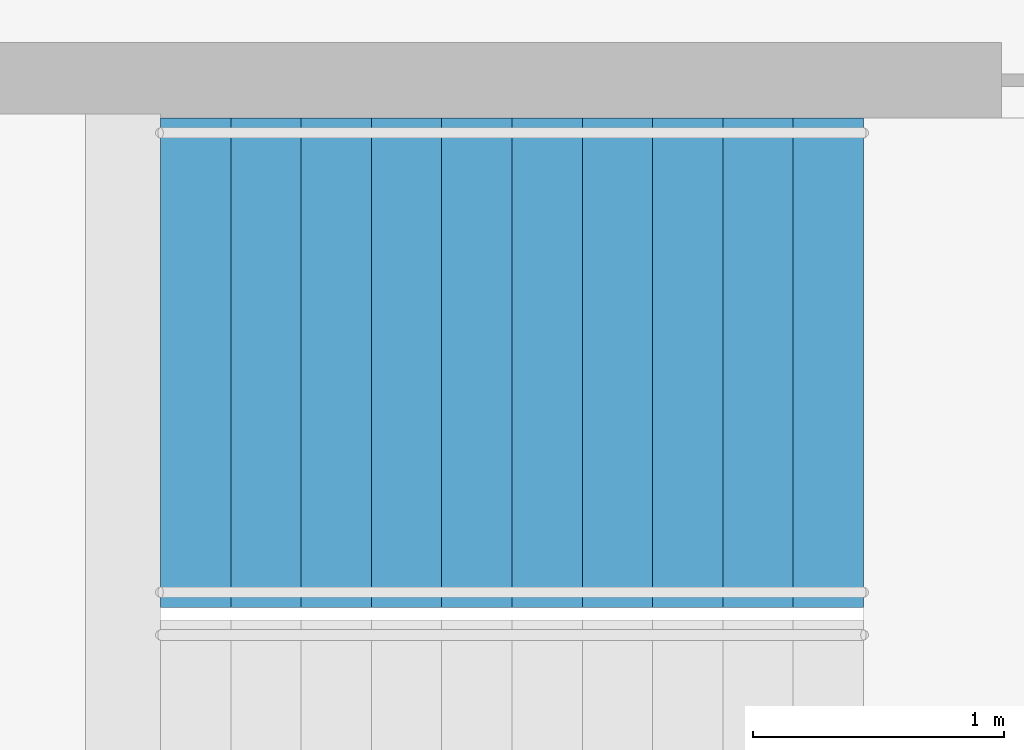
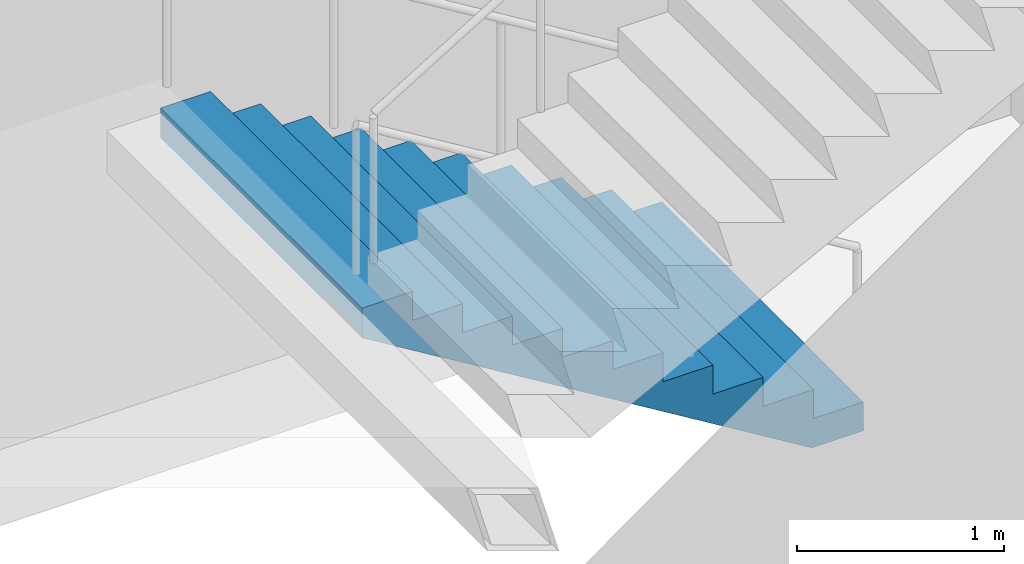
# One storey, part 25 of 28: 1 stair flight, 1 element without a shape of its own.
"""IFC4 building model written with IfcOpenShell, lengths in metres."""

from ifc_helpers import new_model, si_unit, direction, frame, origin, place, context, subcontext, project, spatial, triangles, material, type_object, element, aggregate, save


model = new_model("IFC4")

# Units and contexts
model_context = context("Model", 3, precision=1e-05, world=origin(), true_north=direction((0.0, 1.0)))
body_context = subcontext(model_context, "Body", "Model", "MODEL_VIEW")
ifc_project = project(units=[si_unit("LENGTHUNIT", "METRE"), si_unit("AREAUNIT", "SQUARE_METRE"), si_unit("VOLUMEUNIT", "CUBIC_METRE"), si_unit("PLANEANGLEUNIT", "RADIAN"), si_unit("MASSUNIT", "GRAM", prefix="KILO")], contexts=[model_context])

# Site, building, storey
site_placement = place(None, origin())
site = spatial("IfcSite", under=ifc_project, at=site_placement, CompositionType="ELEMENT")
building_placement = place(site_placement, origin())
building = spatial("IfcBuilding", under=site, at=building_placement, Name="Orbita Commons", CompositionType="ELEMENT")
storey_placement = place(building_placement, frame((0.0, 0.0, 23.949951171875)))
storey = spatial("IfcBuildingStorey", under=building, at=storey_placement, Name="L05", CompositionType="ELEMENT", Elevation=23.949951171875)

# Stair, stair flight
ifc_material_1 = material(Name="Precast concrete C40/50", Category="concrete")
stair_type = type_object("IfcStairType", Name="Exit stair S2 2 flights 11 risers 170", PredefinedType="HALF_TURN_STAIR", material=ifc_material_1)
stair_placement = place(storey_placement, origin())
stair = element("IfcStair", 1, at=stair_placement, inside=storey, type_object=stair_type, Name="Exit stair S2 L05", PredefinedType="HALF_TURN_STAIR")
ifc_material_2 = material(Name="Precast concrete C40/50", Category="concrete")
stair_flight_type = type_object("IfcStairFlightType", Name="Stair flight 11 risers 170 x 280", PredefinedType="STRAIGHT", material=ifc_material_2)
stair_flight_placement = place(storey_placement, frame((63.550048828125, 29.27490234375, 0.0), z_axis=(0.0, 0.0, 1.0), x_axis=(-1.0, 0.0, 0.0)))
stair_flight = element("IfcStairFlight", 2, at=stair_flight_placement, type_object=stair_flight_type, Name="S2 flight 1", NumberOfRisers=11, NumberOfTreads=10, PredefinedType="STRAIGHT", RiserHeight=0.170454545, TreadLength=0.28, context=body_context, shape_type="Tessellation", body=[
    triangles([(0.0, 0.974976, 0.0), (0.0, 0.974976, 0.021307), (0.0, 0.81248, 0.021307), (0.0, 0.81248, 0.0), (0.0, 0.649984, 0.021307), (0.0, 0.649984, 0.0), (0.0, 0.487488, 0.021307), (0.0, 0.487488, 0.0), (0.0, 0.324992, 0.021307), (0.0, 0.324992, 0.0), (0.0, 0.162496, 0.021307), (0.0, 0.162496, 0.0), (0.0, 0.0, 0.021307), (0.0, 0.0, 0.0), (0.0, -0.162496, 0.021307), (0.0, -0.162496, 0.0), (0.0, -0.324992, 0.021307), (0.0, -0.324992, 0.0), (0.0, -0.487488, 0.021307), (0.0, -0.487488, 0.0), (0.0, -0.649984, 0.021307), (0.0, -0.649984, 0.0), (0.0, -0.81248, 0.021307), (0.0, -0.81248, 0.0), (0.0, -0.974976, 0.021307), (0.0, -0.974976, 0.0), (0.0, 0.974976, 0.042614), (0.0, 0.81248, 0.042614), (0.0, 0.649984, 0.042614), (0.0, 0.487488, 0.042614), (0.0, 0.324992, 0.042614), (0.0, 0.162496, 0.042614), (0.0, 0.0, 0.042614), (0.0, -0.162496, 0.042614), (0.0, -0.324992, 0.042614), (0.0, -0.487488, 0.042614), (0.0, -0.649984, 0.042614), (0.0, -0.81248, 0.042614), (0.0, -0.974976, 0.042614), (0.0, 0.974976, 0.06392), (0.0, 0.81248, 0.06392), (0.0, 0.649984, 0.06392), (0.0, 0.487488, 0.06392), (0.0, 0.324992, 0.06392), (0.0, 0.162496, 0.06392), (0.0, 0.0, 0.06392), (0.0, -0.162496, 0.06392), (0.0, -0.324992, 0.06392), (0.0, -0.487488, 0.06392), (0.0, -0.649984, 0.06392), (0.0, -0.81248, 0.06392), (0.0, -0.974976, 0.06392), (0.0, 0.974976, 0.085227), (0.0, 0.81248, 0.085227), (0.0, 0.649984, 0.085227), (0.0, 0.487488, 0.085227), (0.0, 0.324992, 0.085227), (0.0, 0.162496, 0.085227), (0.0, 0.0, 0.085227), (0.0, -0.162496, 0.085227), (0.0, -0.324992, 0.085227), (0.0, -0.487488, 0.085227), (0.0, -0.649984, 0.085227), (0.0, -0.81248, 0.085227), (0.0, -0.974976, 0.085227), (0.0, 0.974976, 0.106534), (0.0, 0.81248, 0.106534), (0.0, 0.649984, 0.106534), (0.0, 0.487488, 0.106534), (0.0, 0.324992, 0.106534), (0.0, 0.162496, 0.106534), (0.0, 0.0, 0.106534), (0.0, -0.162496, 0.106534), (0.0, -0.324992, 0.106534), (0.0, -0.487488, 0.106534), (0.0, -0.649984, 0.106534), (0.0, -0.81248, 0.106534), (0.0, -0.974976, 0.106534), (0.0, 0.974976, 0.127841), (0.0, 0.81248, 0.127841), (0.0, 0.649984, 0.127841), (0.0, 0.487488, 0.127841), (0.0, 0.324992, 0.127841), (0.0, 0.162496, 0.127841), (0.0, 0.0, 0.127841), (0.0, -0.162496, 0.127841), (0.0, -0.324992, 0.127841), (0.0, -0.487488, 0.127841), (0.0, -0.649984, 0.127841), (0.0, -0.81248, 0.127841), (0.0, -0.974976, 0.127841), (0.0, 0.974976, 0.149148), (0.0, 0.81248, 0.149148), (0.0, 0.649984, 0.149148), (0.0, 0.487488, 0.149148), (0.0, 0.324992, 0.149148), (0.0, 0.162496, 0.149148), (0.0, 0.0, 0.149148), (0.0, -0.162496, 0.149148), (0.0, -0.324992, 0.149148), (0.0, -0.487488, 0.149148), (0.0, -0.649984, 0.149148), (0.0, -0.81248, 0.149148), (0.0, -0.974976, 0.149148), (0.0, 0.974976, 0.170455), (0.0, 0.81248, 0.170455), (0.0, 0.649984, 0.170455), (0.0, 0.487488, 0.170455), (0.0, 0.324992, 0.170455), (0.0, 0.162496, 0.170455), (0.0, 0.0, 0.170455), (0.0, -0.162496, 0.170455), (0.0, -0.324992, 0.170455), (0.0, -0.487488, 0.170455), (0.0, -0.649984, 0.170455), (0.0, -0.81248, 0.170455), (0.0, -0.974976, 0.170455), (0.28, 0.974976, 0.170455), (0.28, 0.81248, 0.170455), (0.28, 0.649984, 0.170455), (0.28, 0.487488, 0.170455), (0.28, 0.324992, 0.170455), (0.28, 0.162496, 0.170455), (0.28, 0.0, 0.170455), (0.28, -0.162496, 0.170455), (0.28, -0.324992, 0.170455), (0.28, -0.487488, 0.170455), (0.28, -0.649984, 0.170455), (0.28, -0.81248, 0.170455), (0.28, -0.974976, 0.170455), (0.28, 0.974976, 0.340909), (0.28, 0.81248, 0.340909), (0.28, 0.649984, 0.340909), (0.28, 0.487488, 0.340909), (0.28, 0.324992, 0.340909), (0.28, 0.162496, 0.340909), (0.28, 0.0, 0.340909), (0.28, -0.162496, 0.340909), (0.28, -0.324992, 0.340909), (0.28, -0.487488, 0.340909), (0.28, -0.649984, 0.340909), (0.28, -0.81248, 0.340909), (0.28, -0.974976, 0.340909), (0.56, 0.974976, 0.340909), (0.56, 0.81248, 0.340909), (0.56, 0.649984, 0.340909), (0.56, 0.487488, 0.340909), (0.56, 0.324992, 0.340909), (0.56, 0.162496, 0.340909), (0.56, 0.0, 0.340909), (0.56, -0.162496, 0.340909), (0.56, -0.324992, 0.340909), (0.56, -0.487488, 0.340909), (0.56, -0.649984, 0.340909), (0.56, -0.81248, 0.340909), (0.56, -0.974976, 0.340909), (0.56, 0.974976, 0.511364), (0.56, 0.81248, 0.511364), (0.56, 0.649984, 0.511364), (0.56, 0.487488, 0.511364), (0.56, 0.324992, 0.511364), (0.56, 0.162496, 0.511364), (0.56, 0.0, 0.511364), (0.56, -0.162496, 0.511364), (0.56, -0.324992, 0.511364), (0.56, -0.487488, 0.511364), (0.56, -0.649984, 0.511364), (0.56, -0.81248, 0.511364), (0.56, -0.974976, 0.511364), (0.84, 0.974976, 0.511364), (0.84, 0.81248, 0.511364), (0.84, 0.649984, 0.511364), (0.84, 0.487488, 0.511364), (0.84, 0.324992, 0.511364), (0.84, 0.162496, 0.511364), (0.84, 0.0, 0.511364), (0.84, -0.162496, 0.511364), (0.84, -0.324992, 0.511364), (0.84, -0.487488, 0.511364), (0.84, -0.649984, 0.511364), (0.84, -0.81248, 0.511364), (0.84, -0.974976, 0.511364), (0.84, 0.974976, 0.681818), (0.84, 0.81248, 0.681818), (0.84, 0.649984, 0.681818), (0.84, 0.487488, 0.681818), (0.84, 0.324992, 0.681818), (0.84, 0.162496, 0.681818), (0.84, 0.0, 0.681818), (0.84, -0.162496, 0.681818), (0.84, -0.324992, 0.681818), (0.84, -0.487488, 0.681818), (0.84, -0.649984, 0.681818), (0.84, -0.81248, 0.681818), (0.84, -0.974976, 0.681818), (1.12, 0.974976, 0.681818), (1.12, 0.81248, 0.681818), (1.12, 0.649984, 0.681818), (1.12, 0.487488, 0.681818), (1.12, 0.324992, 0.681818), (1.12, 0.162496, 0.681818), (1.12, 0.0, 0.681818), (1.12, -0.162496, 0.681818), (1.12, -0.324992, 0.681818), (1.12, -0.487488, 0.681818), (1.12, -0.649984, 0.681818), (1.12, -0.81248, 0.681818), (1.12, -0.974976, 0.681818), (1.12, 0.974976, 0.852273), (1.12, 0.81248, 0.852273), (1.12, 0.649984, 0.852273), (1.12, 0.487488, 0.852273), (1.12, 0.324992, 0.852273), (1.12, 0.162496, 0.852273), (1.12, 0.0, 0.852273), (1.12, -0.162496, 0.852273), (1.12, -0.324992, 0.852273), (1.12, -0.487488, 0.852273), (1.12, -0.649984, 0.852273), (1.12, -0.81248, 0.852273), (1.12, -0.974976, 0.852273), (1.4, 0.974976, 0.852273), (1.4, 0.81248, 0.852273), (1.4, 0.649984, 0.852273), (1.4, 0.487488, 0.852273), (1.4, 0.324992, 0.852273), (1.4, 0.162496, 0.852273), (1.4, 0.0, 0.852273), (1.4, -0.162496, 0.852273), (1.4, -0.324992, 0.852273), (1.4, -0.487488, 0.852273), (1.4, -0.649984, 0.852273), (1.4, -0.81248, 0.852273), (1.4, -0.974976, 0.852273), (1.4, 0.974976, 1.022727), (1.4, 0.81248, 1.022727), (1.4, 0.649984, 1.022727), (1.4, 0.487488, 1.022727), (1.4, 0.324992, 1.022727), (1.4, 0.162496, 1.022727), (1.4, 0.0, 1.022727), (1.4, -0.162496, 1.022727), (1.4, -0.324992, 1.022727), (1.4, -0.487488, 1.022727), (1.4, -0.649984, 1.022727), (1.4, -0.81248, 1.022727), (1.4, -0.974976, 1.022727), (1.68, 0.974976, 1.022727), (1.68, 0.81248, 1.022727), (1.68, 0.649984, 1.022727), (1.68, 0.487488, 1.022727), (1.68, 0.324992, 1.022727), (1.68, 0.162496, 1.022727), (1.68, 0.0, 1.022727), (1.68, -0.162496, 1.022727), (1.68, -0.324992, 1.022727), (1.68, -0.487488, 1.022727), (1.68, -0.649984, 1.022727), (1.68, -0.81248, 1.022727), (1.68, -0.974976, 1.022727), (1.68, 0.974976, 1.193182), (1.68, 0.81248, 1.193182), (1.68, 0.649984, 1.193182), (1.68, 0.487488, 1.193182), (1.68, 0.324992, 1.193182), (1.68, 0.162496, 1.193182), (1.68, 0.0, 1.193182), (1.68, -0.162496, 1.193182), (1.68, -0.324992, 1.193182), (1.68, -0.487488, 1.193182), (1.68, -0.649984, 1.193182), (1.68, -0.81248, 1.193182), (1.68, -0.974976, 1.193182), (1.96, 0.974976, 1.193182), (1.96, 0.81248, 1.193182), (1.96, 0.649984, 1.193182), (1.96, 0.487488, 1.193182), (1.96, 0.324992, 1.193182), (1.96, 0.162496, 1.193182), (1.96, 0.0, 1.193182), (1.96, -0.162496, 1.193182), (1.96, -0.324992, 1.193182), (1.96, -0.487488, 1.193182), (1.96, -0.649984, 1.193182), (1.96, -0.81248, 1.193182), (1.96, -0.974976, 1.193182), (1.96, 0.974976, 1.363636), (1.96, 0.81248, 1.363636), (1.96, 0.649984, 1.363636), (1.96, 0.487488, 1.363636), (1.96, 0.324992, 1.363636), (1.96, 0.162496, 1.363636), (1.96, 0.0, 1.363636), (1.96, -0.162496, 1.363636), (1.96, -0.324992, 1.363636), (1.96, -0.487488, 1.363636), (1.96, -0.649984, 1.363636), (1.96, -0.81248, 1.363636), (1.96, -0.974976, 1.363636), (2.24, 0.974976, 1.363636), (2.24, 0.81248, 1.363636), (2.24, 0.649984, 1.363636), (2.24, 0.487488, 1.363636), (2.24, 0.324992, 1.363636), (2.24, 0.162496, 1.363636), (2.24, 0.0, 1.363636), (2.24, -0.162496, 1.363636), (2.24, -0.324992, 1.363636), (2.24, -0.487488, 1.363636), (2.24, -0.649984, 1.363636), (2.24, -0.81248, 1.363636), (2.24, -0.974976, 1.363636), (2.24, 0.974976, 1.534091), (2.24, 0.81248, 1.534091), (2.24, 0.649984, 1.534091), (2.24, 0.487488, 1.534091), (2.24, 0.324992, 1.534091), (2.24, 0.162496, 1.534091), (2.24, 0.0, 1.534091), (2.24, -0.162496, 1.534091), (2.24, -0.324992, 1.534091), (2.24, -0.487488, 1.534091), (2.24, -0.649984, 1.534091), (2.24, -0.81248, 1.534091), (2.24, -0.974976, 1.534091), (2.52, 0.974976, 1.534091), (2.52, 0.81248, 1.534091), (2.52, 0.649984, 1.534091), (2.52, 0.487488, 1.534091), (2.52, 0.324992, 1.534091), (2.52, 0.162496, 1.534091), (2.52, 0.0, 1.534091), (2.52, -0.162496, 1.534091), (2.52, -0.324992, 1.534091), (2.52, -0.487488, 1.534091), (2.52, -0.649984, 1.534091), (2.52, -0.81248, 1.534091), (2.52, -0.974976, 1.534091), (2.52, 0.974976, 1.704545), (2.52, 0.81248, 1.704545), (2.52, 0.649984, 1.704545), (2.52, 0.487488, 1.704545), (2.52, 0.324992, 1.704545), (2.52, 0.162496, 1.704545), (2.52, 0.0, 1.704545), (2.52, -0.162496, 1.704545), (2.52, -0.324992, 1.704545), (2.52, -0.487488, 1.704545), (2.52, -0.649984, 1.704545), (2.52, -0.81248, 1.704545), (2.52, -0.974976, 1.704545), (2.8, 0.974976, 1.704545), (2.8, 0.81248, 1.704545), (2.8, 0.649984, 1.704545), (2.8, 0.487488, 1.704545), (2.8, 0.324992, 1.704545), (2.8, 0.162496, 1.704545), (2.8, 0.0, 1.704545), (2.8, -0.162496, 1.704545), (2.8, -0.324992, 1.704545), (2.8, -0.487488, 1.704545), (2.8, -0.649984, 1.704545), (2.8, -0.81248, 1.704545), (2.8, -0.974976, 1.704545), (2.8, 0.974976, 1.682609), (2.8, 0.81248, 1.682609), (2.8, 0.649984, 1.682609), (2.8, 0.487488, 1.682609), (2.8, 0.324992, 1.682609), (2.8, 0.162496, 1.682609), (2.8, 0.0, 1.682609), (2.8, -0.162496, 1.682609), (2.8, -0.324992, 1.682609), (2.8, -0.487488, 1.682609), (2.8, -0.649984, 1.682609), (2.8, -0.81248, 1.682609), (2.8, -0.974976, 1.682609), (2.8, 0.974976, 1.660672), (2.8, 0.81248, 1.660672), (2.8, 0.649984, 1.660672), (2.8, 0.487488, 1.660672), (2.8, 0.324992, 1.660672), (2.8, 0.162496, 1.660672), (2.8, 0.0, 1.660672), (2.8, -0.162496, 1.660672), (2.8, -0.324992, 1.660672), (2.8, -0.487488, 1.660672), (2.8, -0.649984, 1.660672), (2.8, -0.81248, 1.660672), (2.8, -0.974976, 1.660672), (2.8, 0.974976, 1.638735), (2.8, 0.81248, 1.638735), (2.8, 0.649984, 1.638735), (2.8, 0.487488, 1.638735), (2.8, 0.324992, 1.638735), (2.8, 0.162496, 1.638735), (2.8, 0.0, 1.638735), (2.8, -0.162496, 1.638735), (2.8, -0.324992, 1.638735), (2.8, -0.487488, 1.638735), (2.8, -0.649984, 1.638735), (2.8, -0.81248, 1.638735), (2.8, -0.974976, 1.638735), (2.8, 0.974976, 1.616798), (2.8, 0.81248, 1.616798), (2.8, 0.649984, 1.616798), (2.8, 0.487488, 1.616798), (2.8, 0.324992, 1.616798), (2.8, 0.162496, 1.616798), (2.8, 0.0, 1.616798), (2.8, -0.162496, 1.616798), (2.8, -0.324992, 1.616798), (2.8, -0.487488, 1.616798), (2.8, -0.649984, 1.616798), (2.8, -0.81248, 1.616798), (2.8, -0.974976, 1.616798), (2.8, 0.974976, 1.594861), (2.8, 0.81248, 1.594861), (2.8, 0.649984, 1.594861), (2.8, 0.487488, 1.594861), (2.8, 0.324992, 1.594861), (2.8, 0.162496, 1.594861), (2.8, 0.0, 1.594861), (2.8, -0.162496, 1.594861), (2.8, -0.324992, 1.594861), (2.8, -0.487488, 1.594861), (2.8, -0.649984, 1.594861), (2.8, -0.81248, 1.594861), (2.8, -0.974976, 1.594861), (2.8, 0.974976, 1.572925), (2.8, 0.81248, 1.572925), (2.8, 0.649984, 1.572925), (2.8, 0.487488, 1.572925), (2.8, 0.324992, 1.572925), (2.8, 0.162496, 1.572925), (2.8, 0.0, 1.572925), (2.8, -0.162496, 1.572925), (2.8, -0.324992, 1.572925), (2.8, -0.487488, 1.572925), (2.8, -0.649984, 1.572925), (2.8, -0.81248, 1.572925), (2.8, -0.974976, 1.572925), (2.8, 0.974976, 1.550988), (2.8, 0.81248, 1.550988), (2.8, 0.649984, 1.550988), (2.8, 0.487488, 1.550988), (2.8, 0.324992, 1.550988), (2.8, 0.162496, 1.550988), (2.8, 0.0, 1.550988), (2.8, -0.162496, 1.550988), (2.8, -0.324992, 1.550988), (2.8, -0.487488, 1.550988), (2.8, -0.649984, 1.550988), (2.8, -0.81248, 1.550988), (2.8, -0.974976, 1.550988), (2.8, 0.974976, 1.529051), (2.8, 0.81248, 1.529051), (2.8, 0.649984, 1.529051), (2.8, 0.487488, 1.529051), (2.8, 0.324992, 1.529051), (2.8, 0.162496, 1.529051), (2.8, 0.0, 1.529051), (2.8, -0.162496, 1.529051), (2.8, -0.324992, 1.529051), (2.8, -0.487488, 1.529051), (2.8, -0.649984, 1.529051), (2.8, -0.81248, 1.529051), (2.8, -0.974976, 1.529051), (0.288279, 0.974976, 0.0), (0.288279, 0.81248, 0.0), (0.288279, 0.649984, 0.0), (0.288279, 0.487488, 0.0), (0.288279, 0.324992, 0.0), (0.288279, 0.162496, 0.0), (0.288279, 0.0, 0.0), (0.288279, -0.162496, 0.0), (0.288279, -0.324992, 0.0), (0.288279, -0.487488, 0.0), (0.288279, -0.649984, 0.0), (0.288279, -0.81248, 0.0), (0.288279, -0.974976, 0.0)], [[3, 2, 1], [4, 3, 1], [5, 3, 4], [6, 5, 4], [7, 5, 6], [8, 7, 6], [9, 7, 8], [10, 9, 8], [11, 9, 10], [12, 11, 10], [13, 11, 12], [14, 13, 12], [15, 13, 14], [16, 15, 14], [17, 15, 16], [18, 17, 16], [19, 17, 18], [20, 19, 18], [21, 19, 20], [22, 21, 20], [23, 21, 22], [24, 23, 22], [25, 23, 24], [26, 25, 24], [28, 27, 2], [3, 28, 2], [29, 28, 3], [5, 29, 3], [30, 29, 5], [7, 30, 5], [31, 30, 7], [9, 31, 7], [32, 31, 9], [11, 32, 9], [33, 32, 11], [13, 33, 11], [34, 33, 13], [15, 34, 13], [35, 34, 15], [17, 35, 15], [36, 35, 17], [19, 36, 17], [37, 36, 19], [21, 37, 19], [38, 37, 21], [23, 38, 21], [39, 38, 23], [25, 39, 23], [41, 40, 27], [28, 41, 27], [42, 41, 28], [29, 42, 28], [43, 42, 29], [30, 43, 29], [44, 43, 30], [31, 44, 30], [45, 44, 31], [32, 45, 31], [46, 45, 32], [33, 46, 32], [47, 46, 33], [34, 47, 33], [48, 47, 34], [35, 48, 34], [49, 48, 35], [36, 49, 35], [50, 49, 36], [37, 50, 36], [51, 50, 37], [38, 51, 37], [52, 51, 38], [39, 52, 38], [54, 53, 40], [41, 54, 40], [55, 54, 41], [42, 55, 41], [56, 55, 42], [43, 56, 42], [57, 56, 43], [44, 57, 43], [58, 57, 44], [45, 58, 44], [59, 58, 45], [46, 59, 45], [60, 59, 46], [47, 60, 46], [61, 60, 47], [48, 61, 47], [62, 61, 48], [49, 62, 48], [63, 62, 49], [50, 63, 49], [64, 63, 50], [51, 64, 50], [65, 64, 51], [52, 65, 51], [67, 66, 53], [54, 67, 53], [68, 67, 54], [55, 68, 54], [69, 68, 55], [56, 69, 55], [70, 69, 56], [57, 70, 56], [71, 70, 57], [58, 71, 57], [72, 71, 58], [59, 72, 58], [73, 72, 59], [60, 73, 59], [74, 73, 60], [61, 74, 60], [75, 74, 61], [62, 75, 61], [76, 75, 62], [63, 76, 62], [77, 76, 63], [64, 77, 63], [78, 77, 64], [65, 78, 64], [80, 79, 66], [67, 80, 66], [81, 80, 67], [68, 81, 67], [82, 81, 68], [69, 82, 68], [83, 82, 69], [70, 83, 69], [84, 83, 70], [71, 84, 70], [85, 84, 71], [72, 85, 71], [86, 85, 72], [73, 86, 72], [87, 86, 73], [74, 87, 73], [88, 87, 74], [75, 88, 74], [89, 88, 75], [76, 89, 75], [90, 89, 76], [77, 90, 76], [91, 90, 77], [78, 91, 77], [93, 92, 79], [80, 93, 79], [94, 93, 80], [81, 94, 80], [95, 94, 81], [82, 95, 81], [96, 95, 82], [83, 96, 82], [97, 96, 83], [84, 97, 83], [98, 97, 84], [85, 98, 84], [99, 98, 85], [86, 99, 85], [100, 99, 86], [87, 100, 86], [101, 100, 87], [88, 101, 87], [102, 101, 88], [89, 102, 88], [103, 102, 89], [90, 103, 89], [104, 103, 90], [91, 104, 90], [106, 105, 92], [93, 106, 92], [107, 106, 93], [94, 107, 93], [108, 107, 94], [95, 108, 94], [109, 108, 95], [96, 109, 95], [110, 109, 96], [97, 110, 96], [111, 110, 97], [98, 111, 97], [112, 111, 98], [99, 112, 98], [113, 112, 99], [100, 113, 99], [114, 113, 100], [101, 114, 100], [115, 114, 101], [102, 115, 101], [116, 115, 102], [103, 116, 102], [117, 116, 103], [104, 117, 103], [119, 118, 105], [106, 119, 105], [120, 119, 106], [107, 120, 106], [121, 120, 107], [108, 121, 107], [122, 121, 108], [109, 122, 108], [123, 122, 109], [110, 123, 109], [124, 123, 110], [111, 124, 110], [125, 124, 111], [112, 125, 111], [126, 125, 112], [113, 126, 112], [127, 126, 113], [114, 127, 113], [128, 127, 114], [115, 128, 114], [129, 128, 115], [116, 129, 115], [130, 129, 116], [117, 130, 116], [132, 131, 118], [119, 132, 118], [133, 132, 119], [120, 133, 119], [134, 133, 120], [121, 134, 120], [135, 134, 121], [122, 135, 121], [136, 135, 122], [123, 136, 122], [137, 136, 123], [124, 137, 123], [138, 137, 124], [125, 138, 124], [139, 138, 125], [126, 139, 125], [140, 139, 126], [127, 140, 126], [141, 140, 127], [128, 141, 127], [142, 141, 128], [129, 142, 128], [143, 142, 129], [130, 143, 129], [145, 144, 131], [132, 145, 131], [146, 145, 132], [133, 146, 132], [147, 146, 133], [134, 147, 133], [148, 147, 134], [135, 148, 134], [149, 148, 135], [136, 149, 135], [150, 149, 136], [137, 150, 136], [151, 150, 137], [138, 151, 137], [152, 151, 138], [139, 152, 138], [153, 152, 139], [140, 153, 139], [154, 153, 140], [141, 154, 140], [155, 154, 141], [142, 155, 141], [156, 155, 142], [143, 156, 142], [158, 157, 144], [145, 158, 144], [159, 158, 145], [146, 159, 145], [160, 159, 146], [147, 160, 146], [161, 160, 147], [148, 161, 147], [162, 161, 148], [149, 162, 148], [163, 162, 149], [150, 163, 149], [164, 163, 150], [151, 164, 150], [165, 164, 151], [152, 165, 151], [166, 165, 152], [153, 166, 152], [167, 166, 153], [154, 167, 153], [168, 167, 154], [155, 168, 154], [169, 168, 155], [156, 169, 155], [171, 170, 157], [158, 171, 157], [172, 171, 158], [159, 172, 158], [173, 172, 159], [160, 173, 159], [174, 173, 160], [161, 174, 160], [175, 174, 161], [162, 175, 161], [176, 175, 162], [163, 176, 162], [177, 176, 163], [164, 177, 163], [178, 177, 164], [165, 178, 164], [179, 178, 165], [166, 179, 165], [180, 179, 166], [167, 180, 166], [181, 180, 167], [168, 181, 167], [182, 181, 168], [169, 182, 168], [184, 183, 170], [171, 184, 170], [185, 184, 171], [172, 185, 171], [186, 185, 172], [173, 186, 172], [187, 186, 173], [174, 187, 173], [188, 187, 174], [175, 188, 174], [189, 188, 175], [176, 189, 175], [190, 189, 176], [177, 190, 176], [191, 190, 177], [178, 191, 177], [192, 191, 178], [179, 192, 178], [193, 192, 179], [180, 193, 179], [194, 193, 180], [181, 194, 180], [195, 194, 181], [182, 195, 181], [197, 196, 183], [184, 197, 183], [198, 197, 184], [185, 198, 184], [199, 198, 185], [186, 199, 185], [200, 199, 186], [187, 200, 186], [201, 200, 187], [188, 201, 187], [202, 201, 188], [189, 202, 188], [203, 202, 189], [190, 203, 189], [204, 203, 190], [191, 204, 190], [205, 204, 191], [192, 205, 191], [206, 205, 192], [193, 206, 192], [207, 206, 193], [194, 207, 193], [208, 207, 194], [195, 208, 194], [210, 209, 196], [197, 210, 196], [211, 210, 197], [198, 211, 197], [212, 211, 198], [199, 212, 198], [213, 212, 199], [200, 213, 199], [214, 213, 200], [201, 214, 200], [215, 214, 201], [202, 215, 201], [216, 215, 202], [203, 216, 202], [217, 216, 203], [204, 217, 203], [218, 217, 204], [205, 218, 204], [219, 218, 205], [206, 219, 205], [220, 219, 206], [207, 220, 206], [221, 220, 207], [208, 221, 207], [223, 222, 209], [210, 223, 209], [224, 223, 210], [211, 224, 210], [225, 224, 211], [212, 225, 211], [226, 225, 212], [213, 226, 212], [227, 226, 213], [214, 227, 213], [228, 227, 214], [215, 228, 214], [229, 228, 215], [216, 229, 215], [230, 229, 216], [217, 230, 216], [231, 230, 217], [218, 231, 217], [232, 231, 218], [219, 232, 218], [233, 232, 219], [220, 233, 219], [234, 233, 220], [221, 234, 220], [236, 235, 222], [223, 236, 222], [237, 236, 223], [224, 237, 223], [238, 237, 224], [225, 238, 224], [239, 238, 225], [226, 239, 225], [240, 239, 226], [227, 240, 226], [241, 240, 227], [228, 241, 227], [242, 241, 228], [229, 242, 228], [243, 242, 229], [230, 243, 229], [244, 243, 230], [231, 244, 230], [245, 244, 231], [232, 245, 231], [246, 245, 232], [233, 246, 232], [247, 246, 233], [234, 247, 233], [249, 248, 235], [236, 249, 235], [250, 249, 236], [237, 250, 236], [251, 250, 237], [238, 251, 237], [252, 251, 238], [239, 252, 238], [253, 252, 239], [240, 253, 239], [254, 253, 240], [241, 254, 240], [255, 254, 241], [242, 255, 241], [256, 255, 242], [243, 256, 242], [257, 256, 243], [244, 257, 243], [258, 257, 244], [245, 258, 244], [259, 258, 245], [246, 259, 245], [260, 259, 246], [247, 260, 246], [262, 261, 248], [249, 262, 248], [263, 262, 249], [250, 263, 249], [264, 263, 250], [251, 264, 250], [265, 264, 251], [252, 265, 251], [266, 265, 252], [253, 266, 252], [267, 266, 253], [254, 267, 253], [268, 267, 254], [255, 268, 254], [269, 268, 255], [256, 269, 255], [270, 269, 256], [257, 270, 256], [271, 270, 257], [258, 271, 257], [272, 271, 258], [259, 272, 258], [273, 272, 259], [260, 273, 259], [275, 274, 261], [262, 275, 261], [276, 275, 262], [263, 276, 262], [277, 276, 263], [264, 277, 263], [278, 277, 264], [265, 278, 264], [279, 278, 265], [266, 279, 265], [280, 279, 266], [267, 280, 266], [281, 280, 267], [268, 281, 267], [282, 281, 268], [269, 282, 268], [283, 282, 269], [270, 283, 269], [284, 283, 270], [271, 284, 270], [285, 284, 271], [272, 285, 271], [286, 285, 272], [273, 286, 272], [288, 287, 274], [275, 288, 274], [289, 288, 275], [276, 289, 275], [290, 289, 276], [277, 290, 276], [291, 290, 277], [278, 291, 277], [292, 291, 278], [279, 292, 278], [293, 292, 279], [280, 293, 279], [294, 293, 280], [281, 294, 280], [295, 294, 281], [282, 295, 281], [296, 295, 282], [283, 296, 282], [297, 296, 283], [284, 297, 283], [298, 297, 284], [285, 298, 284], [299, 298, 285], [286, 299, 285], [301, 300, 287], [288, 301, 287], [302, 301, 288], [289, 302, 288], [303, 302, 289], [290, 303, 289], [304, 303, 290], [291, 304, 290], [305, 304, 291], [292, 305, 291], [306, 305, 292], [293, 306, 292], [307, 306, 293], [294, 307, 293], [308, 307, 294], [295, 308, 294], [309, 308, 295], [296, 309, 295], [310, 309, 296], [297, 310, 296], [311, 310, 297], [298, 311, 297], [312, 311, 298], [299, 312, 298], [314, 313, 300], [301, 314, 300], [315, 314, 301], [302, 315, 301], [316, 315, 302], [303, 316, 302], [317, 316, 303], [304, 317, 303], [318, 317, 304], [305, 318, 304], [319, 318, 305], [306, 319, 305], [320, 319, 306], [307, 320, 306], [321, 320, 307], [308, 321, 307], [322, 321, 308], [309, 322, 308], [323, 322, 309], [310, 323, 309], [324, 323, 310], [311, 324, 310], [325, 324, 311], [312, 325, 311], [327, 326, 313], [314, 327, 313], [328, 327, 314], [315, 328, 314], [329, 328, 315], [316, 329, 315], [330, 329, 316], [317, 330, 316], [331, 330, 317], [318, 331, 317], [332, 331, 318], [319, 332, 318], [333, 332, 319], [320, 333, 319], [334, 333, 320], [321, 334, 320], [335, 334, 321], [322, 335, 321], [336, 335, 322], [323, 336, 322], [337, 336, 323], [324, 337, 323], [338, 337, 324], [325, 338, 324], [340, 339, 326], [327, 340, 326], [341, 340, 327], [328, 341, 327], [342, 341, 328], [329, 342, 328], [343, 342, 329], [330, 343, 329], [344, 343, 330], [331, 344, 330], [345, 344, 331], [332, 345, 331], [346, 345, 332], [333, 346, 332], [347, 346, 333], [334, 347, 333], [348, 347, 334], [335, 348, 334], [349, 348, 335], [336, 349, 335], [350, 349, 336], [337, 350, 336], [351, 350, 337], [338, 351, 337], [353, 352, 339], [340, 353, 339], [354, 353, 340], [341, 354, 340], [355, 354, 341], [342, 355, 341], [356, 355, 342], [343, 356, 342], [357, 356, 343], [344, 357, 343], [358, 357, 344], [345, 358, 344], [359, 358, 345], [346, 359, 345], [360, 359, 346], [347, 360, 346], [361, 360, 347], [348, 361, 347], [362, 361, 348], [349, 362, 348], [363, 362, 349], [350, 363, 349], [364, 363, 350], [351, 364, 350], [366, 365, 352], [353, 366, 352], [367, 366, 353], [354, 367, 353], [368, 367, 354], [355, 368, 354], [369, 368, 355], [356, 369, 355], [370, 369, 356], [357, 370, 356], [371, 370, 357], [358, 371, 357], [372, 371, 358], [359, 372, 358], [373, 372, 359], [360, 373, 359], [374, 373, 360], [361, 374, 360], [375, 374, 361], [362, 375, 361], [376, 375, 362], [363, 376, 362], [377, 376, 363], [364, 377, 363], [379, 378, 365], [366, 379, 365], [380, 379, 366], [367, 380, 366], [381, 380, 367], [368, 381, 367], [382, 381, 368], [369, 382, 368], [383, 382, 369], [370, 383, 369], [384, 383, 370], [371, 384, 370], [385, 384, 371], [372, 385, 371], [386, 385, 372], [373, 386, 372], [387, 386, 373], [374, 387, 373], [388, 387, 374], [375, 388, 374], [389, 388, 375], [376, 389, 375], [390, 389, 376], [377, 390, 376], [392, 391, 378], [379, 392, 378], [393, 392, 379], [380, 393, 379], [394, 393, 380], [381, 394, 380], [395, 394, 381], [382, 395, 381], [396, 395, 382], [383, 396, 382], [397, 396, 383], [384, 397, 383], [398, 397, 384], [385, 398, 384], [399, 398, 385], [386, 399, 385], [400, 399, 386], [387, 400, 386], [401, 400, 387], [388, 401, 387], [402, 401, 388], [389, 402, 388], [403, 402, 389], [390, 403, 389], [405, 404, 391], [392, 405, 391], [406, 405, 392], [393, 406, 392], [407, 406, 393], [394, 407, 393], [408, 407, 394], [395, 408, 394], [409, 408, 395], [396, 409, 395], [410, 409, 396], [397, 410, 396], [411, 410, 397], [398, 411, 397], [412, 411, 398], [399, 412, 398], [413, 412, 399], [400, 413, 399], [414, 413, 400], [401, 414, 400], [415, 414, 401], [402, 415, 401], [416, 415, 402], [403, 416, 402], [418, 417, 404], [405, 418, 404], [419, 418, 405], [406, 419, 405], [420, 419, 406], [407, 420, 406], [421, 420, 407], [408, 421, 407], [422, 421, 408], [409, 422, 408], [423, 422, 409], [410, 423, 409], [424, 423, 410], [411, 424, 410], [425, 424, 411], [412, 425, 411], [426, 425, 412], [413, 426, 412], [427, 426, 413], [414, 427, 413], [428, 427, 414], [415, 428, 414], [429, 428, 415], [416, 429, 415], [431, 430, 417], [418, 431, 417], [432, 431, 418], [419, 432, 418], [433, 432, 419], [420, 433, 419], [434, 433, 420], [421, 434, 420], [435, 434, 421], [422, 435, 421], [436, 435, 422], [423, 436, 422], [437, 436, 423], [424, 437, 423], [438, 437, 424], [425, 438, 424], [439, 438, 425], [426, 439, 425], [440, 439, 426], [427, 440, 426], [441, 440, 427], [428, 441, 427], [442, 441, 428], [429, 442, 428], [444, 443, 430], [431, 444, 430], [445, 444, 431], [432, 445, 431], [446, 445, 432], [433, 446, 432], [447, 446, 433], [434, 447, 433], [448, 447, 434], [435, 448, 434], [449, 448, 435], [436, 449, 435], [450, 449, 436], [437, 450, 436], [451, 450, 437], [438, 451, 437], [452, 451, 438], [439, 452, 438], [453, 452, 439], [440, 453, 439], [454, 453, 440], [441, 454, 440], [455, 454, 441], [442, 455, 441], [457, 456, 443], [444, 457, 443], [458, 457, 444], [445, 458, 444], [459, 458, 445], [446, 459, 445], [460, 459, 446], [447, 460, 446], [461, 460, 447], [448, 461, 447], [462, 461, 448], [449, 462, 448], [463, 462, 449], [450, 463, 449], [464, 463, 450], [451, 464, 450], [465, 464, 451], [452, 465, 451], [466, 465, 452], [453, 466, 452], [467, 466, 453], [454, 467, 453], [468, 467, 454], [455, 468, 454], [470, 469, 456], [457, 470, 456], [471, 470, 457], [458, 471, 457], [472, 471, 458], [459, 472, 458], [473, 472, 459], [460, 473, 459], [474, 473, 460], [461, 474, 460], [475, 474, 461], [462, 475, 461], [476, 475, 462], [463, 476, 462], [477, 476, 463], [464, 477, 463], [478, 477, 464], [465, 478, 464], [479, 478, 465], [466, 479, 465], [480, 479, 466], [467, 480, 466], [481, 480, 467], [468, 481, 467], [4, 1, 469], [470, 4, 469], [6, 4, 470], [471, 6, 470], [8, 6, 471], [472, 8, 471], [10, 8, 472], [473, 10, 472], [12, 10, 473], [474, 12, 473], [14, 12, 474], [475, 14, 474], [16, 14, 475], [476, 16, 475], [18, 16, 476], [477, 18, 476], [20, 18, 477], [478, 20, 477], [22, 20, 478], [479, 22, 478], [24, 22, 479], [480, 24, 479], [26, 24, 480], [481, 26, 480], [456, 469, 1], [26, 481, 468], [443, 456, 1], [26, 468, 455], [430, 443, 1], [26, 455, 442], [417, 430, 1], [26, 442, 429], [404, 417, 1], [26, 429, 416], [391, 404, 1], [26, 416, 403], [378, 391, 1], [26, 403, 390], [365, 378, 1], [26, 390, 377], [339, 352, 365], [377, 364, 351], [326, 339, 365], [377, 351, 338], [300, 313, 326], [338, 325, 312], [300, 326, 365], [377, 338, 312], [274, 287, 300], [312, 299, 286], [274, 300, 365], [377, 312, 286], [248, 261, 274], [286, 273, 260], [248, 274, 365], [377, 286, 260], [222, 235, 248], [260, 247, 234], [222, 248, 365], [377, 260, 234], [196, 209, 222], [234, 221, 208], [196, 222, 365], [377, 234, 208], [170, 183, 196], [208, 195, 182], [170, 196, 365], [377, 208, 182], [144, 157, 170], [182, 169, 156], [144, 170, 365], [377, 182, 156], [118, 131, 144], [156, 143, 130], [118, 144, 365], [377, 156, 130], [118, 365, 1], [26, 377, 130], [92, 105, 118], [130, 117, 104], [79, 92, 118], [130, 104, 91], [66, 79, 118], [130, 91, 78], [53, 66, 118], [130, 78, 65], [40, 53, 118], [130, 65, 52], [27, 40, 118], [130, 52, 39], [2, 27, 118], [130, 39, 25], [1, 2, 118], [130, 25, 26]], closed=True),
])
aggregate(stair, [stair_flight])

save(model, "model.ifc")
